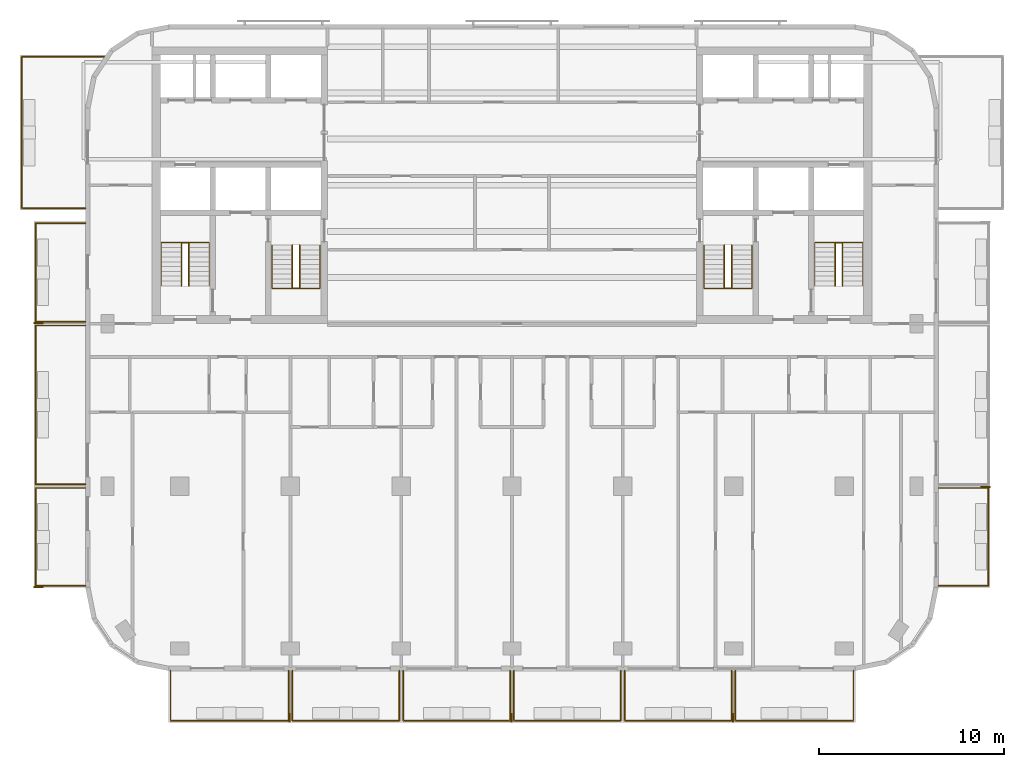
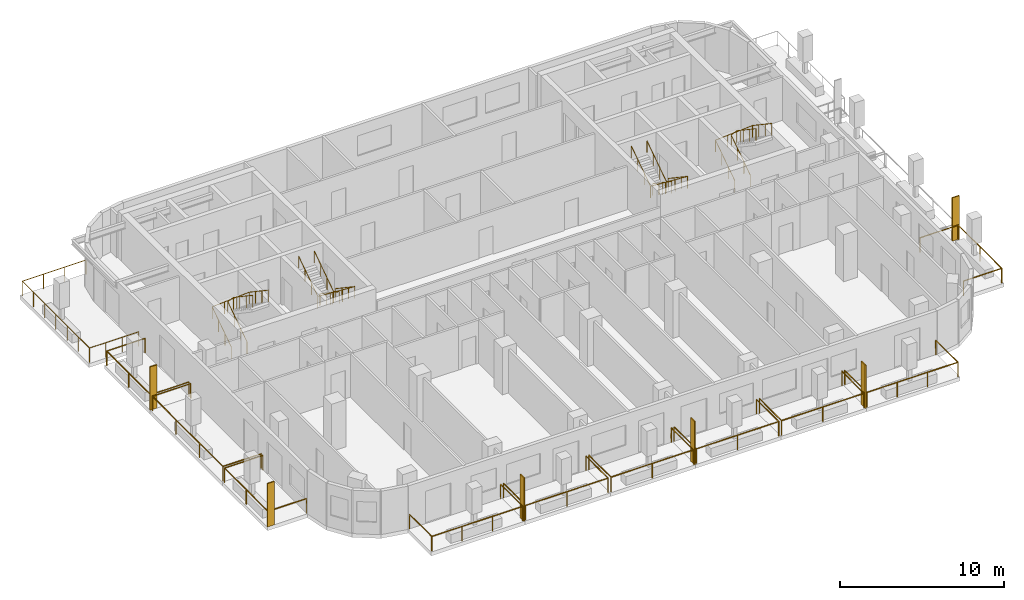
# One storey, part 9 of 11: 19 railings, 6 shading devices.
"""IFC4 building model written with IfcOpenShell, lengths in metres."""

from ifc_helpers import new_model, si_unit, direction, frame, origin, origin_2d, place, context, subcontext, project, spatial, rectangle, circle, extrude, material, layer, layer_set, type_object, element, save


model = new_model("IFC4")

# Units and contexts
model_context = context("Model", 3, precision=1e-05, world=origin(), true_north=direction((0.0, 1.0)))
body_context = subcontext(model_context, "Body", "Model", "MODEL_VIEW")
ifc_project = project(units=[si_unit("LENGTHUNIT", "METRE"), si_unit("AREAUNIT", "SQUARE_METRE"), si_unit("VOLUMEUNIT", "CUBIC_METRE"), si_unit("PLANEANGLEUNIT", "RADIAN"), si_unit("MASSUNIT", "GRAM", prefix="KILO")], contexts=[model_context])

# Site, building, storey
site_placement = place(None, origin())
site = spatial("IfcSite", under=ifc_project, at=site_placement, CompositionType="ELEMENT")
building_placement = place(site_placement, origin())
building = spatial("IfcBuilding", under=site, at=building_placement, Name="Torana Hotel and Residences", CompositionType="ELEMENT")
storey_placement = place(building_placement, frame((0.0, 0.0, 256.10009765625)))
storey = spatial("IfcBuildingStorey", under=building, at=storey_placement, Name="L67", CompositionType="ELEMENT", Elevation=256.10009765625)

# Shading devices
ifc_material_1 = material(Name="Black powder coated aluminium", Category="aluminium")
ifc_layer = layer(ifc_material_1, 0.080078125)
ifc_layer_set = layer_set([ifc_layer], Name="FN1 VERTICAL FIN 500x80")
shading_device_type = type_object("IfcShadingDeviceType", Name="FN1 VERTICAL FIN 500x80", PredefinedType="USERDEFINED", material=ifc_layer_set)
for number, where, z_axis, x_axis, name in (
    (1, (-12.0400390625, -36.35009765625, 0.0), (0.0, 0.0, 1.0), (-1.0, 0.0, 0.0), "Fin 01"),
    (2, (-0.0400390625, -36.35009765625, 0.0), (0.0, 0.0, 1.0), (-1.0, 0.0, 0.0), "Fin 03"),
    (3, (11.9599609375, -36.35009765625, 0.0), (0.0, 0.0, 1.0), (-1.0, 0.0, 0.0), "Fin 05"),
    (4, (-25.64990234375, -29.260009765625, 0.0), (0.0, 0.0, 1.0), (0.0, 1.0, 0.0), "Fin 07"),
    (5, (-25.64990234375, -14.9599609375, 0.0), (0.0, 0.0, 1.0), (0.0, 1.0, 0.0), "Fin 09"),
    (6, (25.64990234375, -23.840087890625, 0.0), (0.0, 0.0, 1.0), (0.0, -1.0, 0.0), "Fin 11"),
):
    element("IfcShadingDevice", number, at=place(storey_placement, frame(where, z_axis=z_axis, x_axis=x_axis)), inside=storey, type_object=shading_device_type, Name=name, ObjectType="FIN", PredefinedType="USERDEFINED", context=body_context, shape_type="SweptSolid", body=[
        extrude(rectangle(XDim=0.080078125, YDim=0.5, at=origin_2d()), origin(), (0.0, 0.0, 1.0), 3.219970703125),
    ])

# Railings
ifc_material_2 = material(Name="Laminated glass balustrade with black handrail", Category="glass")
railing_type_1 = type_object("IfcRailingType", Name="GR1 BALCONY GUARD 1100 GLASS", PredefinedType="GUARDRAIL", material=ifc_material_2)
railing_1_placement = place(storey_placement, frame((-12.10009765625, -33.800048828125, 0.0)))
element("IfcRailing", 7, at=railing_1_placement, inside=storey, type_object=railing_type_1, Name="Balcony guard 01", PredefinedType="GUARDRAIL", context=body_context, shape_type="SweptSolid", body=[
    extrude(circle(Radius=0.02392578125, at=origin_2d()), frame((0.0, 0.0, 1.076171875), z_axis=(0.0, -1.0, 0.0), x_axis=(1.0, 0.0, 0.0)), (0.0, 0.0, 1.0), 2.699951171875),
    extrude(circle(Radius=0.02392578125, at=origin_2d()), frame((0.0, -2.699951171875, 1.076171875), z_axis=(-1.0, 0.0, 0.0), x_axis=(0.0, -1.0, 0.0)), (0.0, 0.0, 1.0), 6.39990234375),
    extrude(circle(Radius=0.02392578125, at=origin_2d()), frame((-6.39990234375, -2.699951171875, 1.076171875), z_axis=(0.0, 1.0, 0.0), x_axis=(-1.0, 0.0, 0.0)), (0.0, 0.0, 1.0), 2.699951171875),
    extrude(circle(Radius=0.02099609375, at=origin_2d()), origin(), (0.0, 0.0, 1.0), 1.052001953125),
    extrude(circle(Radius=0.02099609375, at=origin_2d()), frame((0.0, -2.699951171875, 0.0)), (0.0, 0.0, 1.0), 1.052001953125),
    extrude(circle(Radius=0.02099609375, at=origin_2d()), frame((-2.13330078125, -2.699951171875, 0.0)), (0.0, 0.0, 1.0), 1.052001953125),
    extrude(circle(Radius=0.02099609375, at=origin_2d()), frame((-4.2666015625, -2.699951171875, 0.0)), (0.0, 0.0, 1.0), 1.052001953125),
    extrude(circle(Radius=0.02099609375, at=origin_2d()), frame((-6.39990234375, -2.699951171875, 0.0)), (0.0, 0.0, 1.0), 1.052001953125),
    extrude(circle(Radius=0.02099609375, at=origin_2d()), frame((-6.39990234375, 0.0, 0.0)), (0.0, 0.0, 1.0), 1.052001953125),
])
for number, where, name in (
    (8, (-6.10009765625, -33.800048828125, 0.0), "Balcony guard 02"),
    (9, (-0.10009765625, -33.800048828125, 0.0), "Balcony guard 03"),
    (10, (5.89990234375, -33.800048828125, 0.0), "Balcony guard 04"),
    (11, (11.89990234375, -33.800048828125, 0.0), "Balcony guard 05"),
):
    element("IfcRailing", number, at=place(storey_placement, frame(where)), inside=storey, type_object=railing_type_1, Name=name, PredefinedType="GUARDRAIL", context=body_context, shape_type="SweptSolid", body=[
        extrude(circle(Radius=0.02392578125, at=origin_2d()), frame((0.0, 0.0, 1.076171875), z_axis=(0.0, -1.0, 0.0), x_axis=(1.0, 0.0, 0.0)), (0.0, 0.0, 1.0), 2.699951171875),
        extrude(circle(Radius=0.02392578125, at=origin_2d()), frame((0.0, -2.699951171875, 1.076171875), z_axis=(-1.0, 0.0, 0.0), x_axis=(0.0, -1.0, 0.0)), (0.0, 0.0, 1.0), 5.7998046875),
        extrude(circle(Radius=0.02392578125, at=origin_2d()), frame((-5.7998046875, -2.699951171875, 1.076171875), z_axis=(0.0, 1.0, 0.0), x_axis=(-1.0, 0.0, 0.0)), (0.0, 0.0, 1.0), 2.699951171875),
        extrude(circle(Radius=0.02099609375, at=origin_2d()), origin(), (0.0, 0.0, 1.0), 1.052001953125),
        extrude(circle(Radius=0.02099609375, at=origin_2d()), frame((0.0, -2.699951171875, 0.0)), (0.0, 0.0, 1.0), 1.052001953125),
        extrude(circle(Radius=0.02099609375, at=origin_2d()), frame((-2.89990234375, -2.699951171875, 0.0)), (0.0, 0.0, 1.0), 1.052001953125),
        extrude(circle(Radius=0.02099609375, at=origin_2d()), frame((-5.7998046875, -2.699951171875, 0.0)), (0.0, 0.0, 1.0), 1.052001953125),
        extrude(circle(Radius=0.02099609375, at=origin_2d()), frame((-5.7998046875, 0.0, 0.0)), (0.0, 0.0, 1.0), 1.052001953125),
    ])
railing_2_placement = place(storey_placement, frame((18.5, -33.800048828125, 0.0)))
element("IfcRailing", 12, at=railing_2_placement, inside=storey, type_object=railing_type_1, Name="Balcony guard 06", PredefinedType="GUARDRAIL", context=body_context, shape_type="SweptSolid", body=[
    extrude(circle(Radius=0.02392578125, at=origin_2d()), frame((0.0, 0.0, 1.076171875), z_axis=(0.0, -1.0, 0.0), x_axis=(1.0, 0.0, 0.0)), (0.0, 0.0, 1.0), 2.699951171875),
    extrude(circle(Radius=0.02392578125, at=origin_2d()), frame((0.0, -2.699951171875, 1.076171875), z_axis=(-1.0, 0.0, 0.0), x_axis=(0.0, -1.0, 0.0)), (0.0, 0.0, 1.0), 6.39990234375),
    extrude(circle(Radius=0.02392578125, at=origin_2d()), frame((-6.39990234375, -2.699951171875, 1.076171875), z_axis=(0.0, 1.0, 0.0), x_axis=(-1.0, 0.0, 0.0)), (0.0, 0.0, 1.0), 2.699951171875),
    extrude(circle(Radius=0.02099609375, at=origin_2d()), origin(), (0.0, 0.0, 1.0), 1.052001953125),
    extrude(circle(Radius=0.02099609375, at=origin_2d()), frame((0.0, -2.699951171875, 0.0)), (0.0, 0.0, 1.0), 1.052001953125),
    extrude(circle(Radius=0.02099609375, at=origin_2d()), frame((-2.13330078125, -2.699951171875, 0.0)), (0.0, 0.0, 1.0), 1.052001953125),
    extrude(circle(Radius=0.02099609375, at=origin_2d()), frame((-4.2666015625, -2.699951171875, 0.0)), (0.0, 0.0, 1.0), 1.052001953125),
    extrude(circle(Radius=0.02099609375, at=origin_2d()), frame((-6.39990234375, -2.699951171875, 0.0)), (0.0, 0.0, 1.0), 1.052001953125),
    extrude(circle(Radius=0.02099609375, at=origin_2d()), frame((-6.39990234375, 0.0, 0.0)), (0.0, 0.0, 1.0), 1.052001953125),
])
railing_3_placement = place(storey_placement, frame((-23.10009765625, -29.199951171875, 0.0)))
element("IfcRailing", 13, at=railing_3_placement, inside=storey, type_object=railing_type_1, Name="Balcony guard 07", PredefinedType="GUARDRAIL", context=body_context, shape_type="SweptSolid", body=[
    extrude(circle(Radius=0.02392578125, at=origin_2d()), frame((0.0, 0.0, 1.076171875), z_axis=(-1.0, 0.0, 0.0), x_axis=(0.0, -1.0, 0.0)), (0.0, 0.0, 1.0), 2.699951171875),
    extrude(circle(Radius=0.02392578125, at=origin_2d()), frame((-2.699951171875, 0.0, 1.076171875), z_axis=(0.0, 1.0, 0.0), x_axis=(-1.0, 0.0, 0.0)), (0.0, 0.0, 1.0), 5.300048828125),
    extrude(circle(Radius=0.02392578125, at=origin_2d()), frame((-2.699951171875, 5.300048828125, 1.076171875), z_axis=(1.0, 0.0, 0.0), x_axis=(0.0, 1.0, 0.0)), (0.0, 0.0, 1.0), 2.699951171875),
    extrude(circle(Radius=0.02099609375, at=origin_2d()), origin(), (0.0, 0.0, 1.0), 1.052001953125),
    extrude(circle(Radius=0.02099609375, at=origin_2d()), frame((-2.699951171875, 0.0, 0.0)), (0.0, 0.0, 1.0), 1.052001953125),
    extrude(circle(Radius=0.02099609375, at=origin_2d()), frame((-2.699951171875, 2.64990234375, 0.0)), (0.0, 0.0, 1.0), 1.052001953125),
    extrude(circle(Radius=0.02099609375, at=origin_2d()), frame((-2.699951171875, 5.300048828125, 0.0)), (0.0, 0.0, 1.0), 1.052001953125),
    extrude(circle(Radius=0.02099609375, at=origin_2d()), frame((0.0, 5.300048828125, 0.0)), (0.0, 0.0, 1.0), 1.052001953125),
])
railing_4_placement = place(storey_placement, frame((-23.10009765625, -23.699951171875, 0.0)))
element("IfcRailing", 14, at=railing_4_placement, inside=storey, type_object=railing_type_1, Name="Balcony guard 08", PredefinedType="GUARDRAIL", context=body_context, shape_type="SweptSolid", body=[
    extrude(circle(Radius=0.02392578125, at=origin_2d()), frame((0.0, 0.0, 1.076171875), z_axis=(-1.0, 0.0, 0.0), x_axis=(0.0, -1.0, 0.0)), (0.0, 0.0, 1.0), 2.699951171875),
    extrude(circle(Radius=0.02392578125, at=origin_2d()), frame((-2.699951171875, 0.0, 1.076171875), z_axis=(0.0, 1.0, 0.0), x_axis=(-1.0, 0.0, 0.0)), (0.0, 0.0, 1.0), 8.599853515625),
    extrude(circle(Radius=0.02392578125, at=origin_2d()), frame((-2.699951171875, 8.599853515625, 1.076171875), z_axis=(1.0, 0.0, 0.0), x_axis=(0.0, 1.0, 0.0)), (0.0, 0.0, 1.0), 2.699951171875),
    extrude(circle(Radius=0.02099609375, at=origin_2d()), origin(), (0.0, 0.0, 1.0), 1.052001953125),
    extrude(circle(Radius=0.02099609375, at=origin_2d()), frame((-2.699951171875, 0.0, 0.0)), (0.0, 0.0, 1.0), 1.052001953125),
    extrude(circle(Radius=0.02099609375, at=origin_2d()), frame((-2.699951171875, 2.86669921875, 0.0)), (0.0, 0.0, 1.0), 1.052001953125),
    extrude(circle(Radius=0.02099609375, at=origin_2d()), frame((-2.699951171875, 5.733154296875, 0.0)), (0.0, 0.0, 1.0), 1.052001953125),
    extrude(circle(Radius=0.02099609375, at=origin_2d()), frame((-2.699951171875, 8.599853515625, 0.0)), (0.0, 0.0, 1.0), 1.052001953125),
    extrude(circle(Radius=0.02099609375, at=origin_2d()), frame((0.0, 8.599853515625, 0.0)), (0.0, 0.0, 1.0), 1.052001953125),
])
railing_5_placement = place(storey_placement, frame((-23.10009765625, -14.89990234375, 0.0)))
element("IfcRailing", 15, at=railing_5_placement, inside=storey, type_object=railing_type_1, Name="Balcony guard 09", PredefinedType="GUARDRAIL", context=body_context, shape_type="SweptSolid", body=[
    extrude(circle(Radius=0.02392578125, at=origin_2d()), frame((0.0, 0.0, 1.076171875), z_axis=(-1.0, 0.0, 0.0), x_axis=(0.0, -1.0, 0.0)), (0.0, 0.0, 1.0), 2.699951171875),
    extrude(circle(Radius=0.02392578125, at=origin_2d()), frame((-2.699951171875, 0.0, 1.076171875), z_axis=(0.0, 1.0, 0.0), x_axis=(-1.0, 0.0, 0.0)), (0.0, 0.0, 1.0), 5.349853515625),
    extrude(circle(Radius=0.02392578125, at=origin_2d()), frame((-2.699951171875, 5.349853515625, 1.076171875), z_axis=(1.0, 0.0, 0.0), x_axis=(0.0, 1.0, 0.0)), (0.0, 0.0, 1.0), 2.699951171875),
    extrude(circle(Radius=0.02099609375, at=origin_2d()), origin(), (0.0, 0.0, 1.0), 1.052001953125),
    extrude(circle(Radius=0.02099609375, at=origin_2d()), frame((-2.699951171875, 0.0, 0.0)), (0.0, 0.0, 1.0), 1.052001953125),
    extrude(circle(Radius=0.02099609375, at=origin_2d()), frame((-2.699951171875, 2.6748046875, 0.0)), (0.0, 0.0, 1.0), 1.052001953125),
    extrude(circle(Radius=0.02099609375, at=origin_2d()), frame((-2.699951171875, 5.349853515625, 0.0)), (0.0, 0.0, 1.0), 1.052001953125),
    extrude(circle(Radius=0.02099609375, at=origin_2d()), frame((0.0, 5.349853515625, 0.0)), (0.0, 0.0, 1.0), 1.052001953125),
])
railing_6_placement = place(storey_placement, frame((-23.10009765625, -8.75, 0.0)))
element("IfcRailing", 16, at=railing_6_placement, inside=storey, type_object=railing_type_1, Name="Balcony guard 10", PredefinedType="GUARDRAIL", context=body_context, shape_type="SweptSolid", body=[
    extrude(circle(Radius=0.02392578125, at=origin_2d()), frame((0.0, 0.0, 1.076171875), z_axis=(-1.0, 0.0, 0.0), x_axis=(0.0, -1.0, 0.0)), (0.0, 0.0, 1.0), 3.449951171875),
    extrude(circle(Radius=0.02392578125, at=origin_2d()), frame((-3.449951171875, 0.0, 1.076171875), z_axis=(0.0, 1.0, 0.0), x_axis=(-1.0, 0.0, 0.0)), (0.0, 0.0, 1.0), 8.199951171875),
    extrude(circle(Radius=0.02392578125, at=origin_2d()), frame((-3.449951171875, 8.199951171875, 1.076171875), z_axis=(1.0, 0.0, 0.0), x_axis=(0.0, 1.0, 0.0)), (0.0, 0.0, 1.0), 4.479248046875),
    extrude(circle(Radius=0.02099609375, at=origin_2d()), origin(), (0.0, 0.0, 1.0), 1.052001953125),
    extrude(circle(Radius=0.02099609375, at=origin_2d()), frame((-1.14990234375, 0.0, 0.0)), (0.0, 0.0, 1.0), 1.052001953125),
    extrude(circle(Radius=0.02099609375, at=origin_2d()), frame((-2.300048828125, 0.0, 0.0)), (0.0, 0.0, 1.0), 1.052001953125),
    extrude(circle(Radius=0.02099609375, at=origin_2d()), frame((-3.449951171875, 0.0, 0.0)), (0.0, 0.0, 1.0), 1.052001953125),
    extrude(circle(Radius=0.02099609375, at=origin_2d()), frame((-3.449951171875, 1.36669921875, 0.0)), (0.0, 0.0, 1.0), 1.052001953125),
    extrude(circle(Radius=0.02099609375, at=origin_2d()), frame((-3.449951171875, 2.7333984375, 0.0)), (0.0, 0.0, 1.0), 1.052001953125),
    extrude(circle(Radius=0.02099609375, at=origin_2d()), frame((-3.449951171875, 4.10009765625, 0.0)), (0.0, 0.0, 1.0), 1.052001953125),
    extrude(circle(Radius=0.02099609375, at=origin_2d()), frame((-3.449951171875, 5.466552734375, 0.0)), (0.0, 0.0, 1.0), 1.052001953125),
    extrude(circle(Radius=0.02099609375, at=origin_2d()), frame((-3.449951171875, 6.833251953125, 0.0)), (0.0, 0.0, 1.0), 1.052001953125),
    extrude(circle(Radius=0.02099609375, at=origin_2d()), frame((-3.449951171875, 8.199951171875, 0.0)), (0.0, 0.0, 1.0), 1.052001953125),
    extrude(circle(Radius=0.02099609375, at=origin_2d()), frame((-1.956787109375, 8.199951171875, 0.0)), (0.0, 0.0, 1.0), 1.052001953125),
    extrude(circle(Radius=0.02099609375, at=origin_2d()), frame((-0.4638671875, 8.199951171875, 0.0)), (0.0, 0.0, 1.0), 1.052001953125),
    extrude(circle(Radius=0.02099609375, at=origin_2d()), frame((1.029296875, 8.199951171875, 0.0)), (0.0, 0.0, 1.0), 1.052001953125),
])
railing_7_placement = place(storey_placement, frame((23.10009765625, -23.89990234375, 0.0)))
element("IfcRailing", 17, at=railing_7_placement, inside=storey, type_object=railing_type_1, Name="Balcony guard 11", PredefinedType="GUARDRAIL", context=body_context, shape_type="SweptSolid", body=[
    extrude(circle(Radius=0.02392578125, at=origin_2d()), frame((0.0, 0.0, 1.076171875), z_axis=(1.0, 0.0, 0.0), x_axis=(0.0, 1.0, 0.0)), (0.0, 0.0, 1.0), 2.699951171875),
    extrude(circle(Radius=0.02392578125, at=origin_2d()), frame((2.699951171875, 0.0, 1.076171875), z_axis=(0.0, -1.0, 0.0), x_axis=(1.0, 0.0, 0.0)), (0.0, 0.0, 1.0), 5.300048828125),
    extrude(circle(Radius=0.02392578125, at=origin_2d()), frame((2.699951171875, -5.300048828125, 1.076171875), z_axis=(-1.0, 0.0, 0.0), x_axis=(0.0, -1.0, 0.0)), (0.0, 0.0, 1.0), 2.699951171875),
    extrude(circle(Radius=0.02099609375, at=origin_2d()), origin(), (0.0, 0.0, 1.0), 1.052001953125),
    extrude(circle(Radius=0.02099609375, at=origin_2d()), frame((2.699951171875, 0.0, 0.0)), (0.0, 0.0, 1.0), 1.052001953125),
    extrude(circle(Radius=0.02099609375, at=origin_2d()), frame((2.699951171875, -2.64990234375, 0.0)), (0.0, 0.0, 1.0), 1.052001953125),
    extrude(circle(Radius=0.02099609375, at=origin_2d()), frame((2.699951171875, -5.300048828125, 0.0)), (0.0, 0.0, 1.0), 1.052001953125),
    extrude(circle(Radius=0.02099609375, at=origin_2d()), frame((0.0, -5.300048828125, 0.0)), (0.0, 0.0, 1.0), 1.052001953125),
])
ifc_material_3 = material(Name="Stainless steel 316", Category="steel")
railing_type_2 = type_object("IfcRailingType", Name="STAIR HANDRAIL HR1 900", PredefinedType="HANDRAIL", material=ifc_material_3)
railing_8_placement = place(storey_placement, frame((-10.39990234375, -10.75, 0.1748046875)))
element("IfcRailing", 18, at=railing_8_placement, inside=storey, type_object=railing_type_2, Name="Handrail ST1 L67 O1", PredefinedType="HANDRAIL", context=body_context, shape_type="SweptSolid", body=[
    extrude(circle(Radius=0.02392578125, at=origin_2d()), frame((0.0, 0.0, 0.8759765625), z_axis=(0.0, -0.829565388462, 0.558409586474), x_axis=(1.0, 0.0, 0.0)), (0.0, 0.0, 1.0), 2.82080078125),
    extrude(circle(Radius=0.02392578125, at=origin_2d()), frame((0.0, -2.340087890625, 2.451171875), z_axis=(-0.997747692642, 0.0, 0.067078624219), x_axis=(0.0, -1.0, 0.0)), (0.0, 0.0, 1.0), 2.60595703125),
    extrude(circle(Radius=0.02392578125, at=origin_2d()), frame((-2.60009765625, -2.340087890625, 2.6259765625), z_axis=(0.0, 0.829565388462, 0.558409586474), x_axis=(-1.0, 0.0, 0.0)), (0.0, 0.0, 1.0), 2.82080078125),
    extrude(circle(Radius=0.02099609375, at=origin_2d()), origin(), (0.0, 0.0, 1.0), 0.851806640625),
    extrude(circle(Radius=0.02099609375, at=origin_2d()), frame((0.0, -0.780029296875, 0.525146484375)), (0.0, 0.0, 1.0), 0.851806640625),
    extrude(circle(Radius=0.02099609375, at=origin_2d()), frame((0.0, -1.56005859375, 1.050048828125)), (0.0, 0.0, 1.0), 0.851806640625),
    extrude(circle(Radius=0.02099609375, at=origin_2d()), frame((0.0, -2.340087890625, 1.5751953125)), (0.0, 0.0, 1.0), 0.851806640625),
    extrude(circle(Radius=0.02099609375, at=origin_2d()), frame((-0.86669921875, -2.340087890625, 1.633544921875)), (0.0, 0.0, 1.0), 0.851806640625),
    extrude(circle(Radius=0.02099609375, at=origin_2d()), frame((-1.7333984375, -2.340087890625, 1.691650390625)), (0.0, 0.0, 1.0), 0.851806640625),
    extrude(circle(Radius=0.02099609375, at=origin_2d()), frame((-2.60009765625, -2.340087890625, 1.75)), (0.0, 0.0, 1.0), 0.851806640625),
    extrude(circle(Radius=0.02099609375, at=origin_2d()), frame((-2.60009765625, -1.56005859375, 2.275146484375)), (0.0, 0.0, 1.0), 0.851806640625),
    extrude(circle(Radius=0.02099609375, at=origin_2d()), frame((-2.60009765625, -0.780029296875, 2.800048828125)), (0.0, 0.0, 1.0), 0.851806640625),
    extrude(circle(Radius=0.02099609375, at=origin_2d()), frame((-2.60009765625, 0.0, 3.3251953125)), (0.0, 0.0, 1.0), 0.851806640625),
])
railing_9_placement = place(storey_placement, frame((-11.5, -10.75, 0.1748046875)))
element("IfcRailing", 19, at=railing_9_placement, inside=storey, type_object=railing_type_2, Name="Handrail ST1 L67 I1", PredefinedType="HANDRAIL", context=body_context, shape_type="SweptSolid", body=[
    extrude(circle(Radius=0.02392578125, at=origin_2d()), frame((0.0, 0.0, 0.8759765625), z_axis=(0.0, -0.829565388462, 0.558409586474), x_axis=(1.0, 0.0, 0.0)), (0.0, 0.0, 1.0), 2.82080078125),
    extrude(circle(Radius=0.02392578125, at=origin_2d()), frame((0.0, -2.340087890625, 2.451171875), z_axis=(-0.916285673175, 0.0, 0.400525361412), x_axis=(0.0, -1.0, 0.0)), (0.0, 0.0, 1.0), 0.4365234375),
    extrude(circle(Radius=0.02392578125, at=origin_2d()), frame((-0.39990234375, -2.340087890625, 2.6259765625), z_axis=(0.0, 0.829565388462, 0.558409586474), x_axis=(-1.0, 0.0, 0.0)), (0.0, 0.0, 1.0), 2.82080078125),
    extrude(circle(Radius=0.02099609375, at=origin_2d()), origin(), (0.0, 0.0, 1.0), 0.851806640625),
    extrude(circle(Radius=0.02099609375, at=origin_2d()), frame((0.0, -0.780029296875, 0.525146484375)), (0.0, 0.0, 1.0), 0.851806640625),
    extrude(circle(Radius=0.02099609375, at=origin_2d()), frame((0.0, -1.56005859375, 1.050048828125)), (0.0, 0.0, 1.0), 0.851806640625),
    extrude(circle(Radius=0.02099609375, at=origin_2d()), frame((0.0, -2.340087890625, 1.5751953125)), (0.0, 0.0, 1.0), 0.851806640625),
    extrude(circle(Radius=0.02099609375, at=origin_2d()), frame((-0.39990234375, -2.340087890625, 1.75)), (0.0, 0.0, 1.0), 0.851806640625),
    extrude(circle(Radius=0.02099609375, at=origin_2d()), frame((-0.39990234375, -1.56005859375, 2.275146484375)), (0.0, 0.0, 1.0), 0.851806640625),
    extrude(circle(Radius=0.02099609375, at=origin_2d()), frame((-0.39990234375, -0.780029296875, 2.800048828125)), (0.0, 0.0, 1.0), 0.851806640625),
    extrude(circle(Radius=0.02099609375, at=origin_2d()), frame((-0.39990234375, 0.0, 3.3251953125)), (0.0, 0.0, 1.0), 0.851806640625),
])
railing_10_placement = place(storey_placement, frame((-19.0, -12.949951171875, 0.1748046875)))
element("IfcRailing", 20, at=railing_10_placement, inside=storey, type_object=railing_type_2, Name="Handrail ST2 L67 O1", PredefinedType="HANDRAIL", context=body_context, shape_type="SweptSolid", body=[
    extrude(circle(Radius=0.02392578125, at=origin_2d()), frame((0.0, 0.0, 0.8759765625), z_axis=(0.0, 0.829538397957, 0.558449681095), x_axis=(-1.0, 0.0, 0.0)), (0.0, 0.0, 1.0), 2.820556640625),
    extrude(circle(Radius=0.02392578125, at=origin_2d()), frame((0.0, 2.33984375, 2.451171875), z_axis=(0.997747692642, 0.0, 0.067078624219), x_axis=(0.0, 1.0, 0.0)), (0.0, 0.0, 1.0), 2.60595703125),
    extrude(circle(Radius=0.02392578125, at=origin_2d()), frame((2.60009765625, 2.33984375, 2.6259765625), z_axis=(0.0, -0.829538397957, 0.558449681095), x_axis=(1.0, 0.0, 0.0)), (0.0, 0.0, 1.0), 2.820556640625),
    extrude(circle(Radius=0.02099609375, at=origin_2d()), origin(), (0.0, 0.0, 1.0), 0.851806640625),
    extrude(circle(Radius=0.02099609375, at=origin_2d()), frame((0.0, 0.780029296875, 0.525146484375)), (0.0, 0.0, 1.0), 0.851806640625),
    extrude(circle(Radius=0.02099609375, at=origin_2d()), frame((0.0, 1.559814453125, 1.050048828125)), (0.0, 0.0, 1.0), 0.851806640625),
    extrude(circle(Radius=0.02099609375, at=origin_2d()), frame((0.0, 2.33984375, 1.5751953125)), (0.0, 0.0, 1.0), 0.851806640625),
    extrude(circle(Radius=0.02099609375, at=origin_2d()), frame((0.86669921875, 2.33984375, 1.633544921875)), (0.0, 0.0, 1.0), 0.851806640625),
    extrude(circle(Radius=0.02099609375, at=origin_2d()), frame((1.7333984375, 2.33984375, 1.691650390625)), (0.0, 0.0, 1.0), 0.851806640625),
    extrude(circle(Radius=0.02099609375, at=origin_2d()), frame((2.60009765625, 2.33984375, 1.75)), (0.0, 0.0, 1.0), 0.851806640625),
    extrude(circle(Radius=0.02099609375, at=origin_2d()), frame((2.60009765625, 1.559814453125, 2.275146484375)), (0.0, 0.0, 1.0), 0.851806640625),
    extrude(circle(Radius=0.02099609375, at=origin_2d()), frame((2.60009765625, 0.780029296875, 2.800048828125)), (0.0, 0.0, 1.0), 0.851806640625),
    extrude(circle(Radius=0.02099609375, at=origin_2d()), frame((2.60009765625, 0.0, 3.3251953125)), (0.0, 0.0, 1.0), 0.851806640625),
])
railing_11_placement = place(storey_placement, frame((-17.89990234375, -12.949951171875, 0.1748046875)))
element("IfcRailing", 21, at=railing_11_placement, inside=storey, type_object=railing_type_2, Name="Handrail ST2 L67 I1", PredefinedType="HANDRAIL", context=body_context, shape_type="SweptSolid", body=[
    extrude(circle(Radius=0.02392578125, at=origin_2d()), frame((0.0, 0.0, 0.8759765625), z_axis=(0.0, 0.829538397957, 0.558449681095), x_axis=(-1.0, 0.0, 0.0)), (0.0, 0.0, 1.0), 2.820556640625),
    extrude(circle(Radius=0.02392578125, at=origin_2d()), frame((0.0, 2.33984375, 2.451171875), z_axis=(0.916285673175, 0.0, 0.400525361412), x_axis=(0.0, 1.0, 0.0)), (0.0, 0.0, 1.0), 0.4365234375),
    extrude(circle(Radius=0.02392578125, at=origin_2d()), frame((0.39990234375, 2.33984375, 2.6259765625), z_axis=(0.0, -0.829538397957, 0.558449681095), x_axis=(1.0, 0.0, 0.0)), (0.0, 0.0, 1.0), 2.820556640625),
    extrude(circle(Radius=0.02099609375, at=origin_2d()), origin(), (0.0, 0.0, 1.0), 0.851806640625),
    extrude(circle(Radius=0.02099609375, at=origin_2d()), frame((0.0, 0.780029296875, 0.525146484375)), (0.0, 0.0, 1.0), 0.851806640625),
    extrude(circle(Radius=0.02099609375, at=origin_2d()), frame((0.0, 1.559814453125, 1.050048828125)), (0.0, 0.0, 1.0), 0.851806640625),
    extrude(circle(Radius=0.02099609375, at=origin_2d()), frame((0.0, 2.33984375, 1.5751953125)), (0.0, 0.0, 1.0), 0.851806640625),
    extrude(circle(Radius=0.02099609375, at=origin_2d()), frame((0.39990234375, 2.33984375, 1.75)), (0.0, 0.0, 1.0), 0.851806640625),
    extrude(circle(Radius=0.02099609375, at=origin_2d()), frame((0.39990234375, 1.559814453125, 2.275146484375)), (0.0, 0.0, 1.0), 0.851806640625),
    extrude(circle(Radius=0.02099609375, at=origin_2d()), frame((0.39990234375, 0.780029296875, 2.800048828125)), (0.0, 0.0, 1.0), 0.851806640625),
    extrude(circle(Radius=0.02099609375, at=origin_2d()), frame((0.39990234375, 0.0, 3.3251953125)), (0.0, 0.0, 1.0), 0.851806640625),
])
railing_12_placement = place(storey_placement, frame((13.0, -10.75, 0.1748046875)))
element("IfcRailing", 22, at=railing_12_placement, inside=storey, type_object=railing_type_2, Name="Handrail ST3 L67 O1", PredefinedType="HANDRAIL", context=body_context, shape_type="SweptSolid", body=[
    extrude(circle(Radius=0.02392578125, at=origin_2d()), frame((0.0, 0.0, 0.8759765625), z_axis=(0.0, -0.829565388462, 0.558409586474), x_axis=(1.0, 0.0, 0.0)), (0.0, 0.0, 1.0), 2.82080078125),
    extrude(circle(Radius=0.02392578125, at=origin_2d()), frame((0.0, -2.340087890625, 2.451171875), z_axis=(-0.997747692642, 0.0, 0.067078624219), x_axis=(0.0, -1.0, 0.0)), (0.0, 0.0, 1.0), 2.60595703125),
    extrude(circle(Radius=0.02392578125, at=origin_2d()), frame((-2.60009765625, -2.340087890625, 2.6259765625), z_axis=(0.0, 0.829565388462, 0.558409586474), x_axis=(-1.0, 0.0, 0.0)), (0.0, 0.0, 1.0), 2.82080078125),
    extrude(circle(Radius=0.02099609375, at=origin_2d()), origin(), (0.0, 0.0, 1.0), 0.851806640625),
    extrude(circle(Radius=0.02099609375, at=origin_2d()), frame((0.0, -0.780029296875, 0.525146484375)), (0.0, 0.0, 1.0), 0.851806640625),
    extrude(circle(Radius=0.02099609375, at=origin_2d()), frame((0.0, -1.56005859375, 1.050048828125)), (0.0, 0.0, 1.0), 0.851806640625),
    extrude(circle(Radius=0.02099609375, at=origin_2d()), frame((0.0, -2.340087890625, 1.5751953125)), (0.0, 0.0, 1.0), 0.851806640625),
    extrude(circle(Radius=0.02099609375, at=origin_2d()), frame((-0.86669921875, -2.340087890625, 1.633544921875)), (0.0, 0.0, 1.0), 0.851806640625),
    extrude(circle(Radius=0.02099609375, at=origin_2d()), frame((-1.7333984375, -2.340087890625, 1.691650390625)), (0.0, 0.0, 1.0), 0.851806640625),
    extrude(circle(Radius=0.02099609375, at=origin_2d()), frame((-2.60009765625, -2.340087890625, 1.75)), (0.0, 0.0, 1.0), 0.851806640625),
    extrude(circle(Radius=0.02099609375, at=origin_2d()), frame((-2.60009765625, -1.56005859375, 2.275146484375)), (0.0, 0.0, 1.0), 0.851806640625),
    extrude(circle(Radius=0.02099609375, at=origin_2d()), frame((-2.60009765625, -0.780029296875, 2.800048828125)), (0.0, 0.0, 1.0), 0.851806640625),
    extrude(circle(Radius=0.02099609375, at=origin_2d()), frame((-2.60009765625, 0.0, 3.3251953125)), (0.0, 0.0, 1.0), 0.851806640625),
])
railing_13_placement = place(storey_placement, frame((11.89990234375, -10.75, 0.1748046875)))
element("IfcRailing", 23, at=railing_13_placement, inside=storey, type_object=railing_type_2, Name="Handrail ST3 L67 I1", PredefinedType="HANDRAIL", context=body_context, shape_type="SweptSolid", body=[
    extrude(circle(Radius=0.02392578125, at=origin_2d()), frame((0.0, 0.0, 0.8759765625), z_axis=(0.0, -0.829565388462, 0.558409586474), x_axis=(1.0, 0.0, 0.0)), (0.0, 0.0, 1.0), 2.82080078125),
    extrude(circle(Radius=0.02392578125, at=origin_2d()), frame((0.0, -2.340087890625, 2.451171875), z_axis=(-0.916285673175, 0.0, 0.400525361412), x_axis=(0.0, -1.0, 0.0)), (0.0, 0.0, 1.0), 0.4365234375),
    extrude(circle(Radius=0.02392578125, at=origin_2d()), frame((-0.39990234375, -2.340087890625, 2.6259765625), z_axis=(0.0, 0.829565388462, 0.558409586474), x_axis=(-1.0, 0.0, 0.0)), (0.0, 0.0, 1.0), 2.82080078125),
    extrude(circle(Radius=0.02099609375, at=origin_2d()), origin(), (0.0, 0.0, 1.0), 0.851806640625),
    extrude(circle(Radius=0.02099609375, at=origin_2d()), frame((0.0, -0.780029296875, 0.525146484375)), (0.0, 0.0, 1.0), 0.851806640625),
    extrude(circle(Radius=0.02099609375, at=origin_2d()), frame((0.0, -1.56005859375, 1.050048828125)), (0.0, 0.0, 1.0), 0.851806640625),
    extrude(circle(Radius=0.02099609375, at=origin_2d()), frame((0.0, -2.340087890625, 1.5751953125)), (0.0, 0.0, 1.0), 0.851806640625),
    extrude(circle(Radius=0.02099609375, at=origin_2d()), frame((-0.39990234375, -2.340087890625, 1.75)), (0.0, 0.0, 1.0), 0.851806640625),
    extrude(circle(Radius=0.02099609375, at=origin_2d()), frame((-0.39990234375, -1.56005859375, 2.275146484375)), (0.0, 0.0, 1.0), 0.851806640625),
    extrude(circle(Radius=0.02099609375, at=origin_2d()), frame((-0.39990234375, -0.780029296875, 2.800048828125)), (0.0, 0.0, 1.0), 0.851806640625),
    extrude(circle(Radius=0.02099609375, at=origin_2d()), frame((-0.39990234375, 0.0, 3.3251953125)), (0.0, 0.0, 1.0), 0.851806640625),
])
railing_14_placement = place(storey_placement, frame((16.39990234375, -12.949951171875, 0.1748046875)))
element("IfcRailing", 24, at=railing_14_placement, inside=storey, type_object=railing_type_2, Name="Handrail ST4 L67 O1", PredefinedType="HANDRAIL", context=body_context, shape_type="SweptSolid", body=[
    extrude(circle(Radius=0.02392578125, at=origin_2d()), frame((0.0, 0.0, 0.8759765625), z_axis=(0.0, 0.829538397957, 0.558449681095), x_axis=(-1.0, 0.0, 0.0)), (0.0, 0.0, 1.0), 2.820556640625),
    extrude(circle(Radius=0.02392578125, at=origin_2d()), frame((0.0, 2.33984375, 2.451171875), z_axis=(0.997747692642, 0.0, 0.067078624219), x_axis=(0.0, 1.0, 0.0)), (0.0, 0.0, 1.0), 2.60595703125),
    extrude(circle(Radius=0.02392578125, at=origin_2d()), frame((2.60009765625, 2.33984375, 2.6259765625), z_axis=(0.0, -0.829538397957, 0.558449681095), x_axis=(1.0, 0.0, 0.0)), (0.0, 0.0, 1.0), 2.820556640625),
    extrude(circle(Radius=0.02099609375, at=origin_2d()), origin(), (0.0, 0.0, 1.0), 0.851806640625),
    extrude(circle(Radius=0.02099609375, at=origin_2d()), frame((0.0, 0.780029296875, 0.525146484375)), (0.0, 0.0, 1.0), 0.851806640625),
    extrude(circle(Radius=0.02099609375, at=origin_2d()), frame((0.0, 1.559814453125, 1.050048828125)), (0.0, 0.0, 1.0), 0.851806640625),
    extrude(circle(Radius=0.02099609375, at=origin_2d()), frame((0.0, 2.33984375, 1.5751953125)), (0.0, 0.0, 1.0), 0.851806640625),
    extrude(circle(Radius=0.02099609375, at=origin_2d()), frame((0.86669921875, 2.33984375, 1.633544921875)), (0.0, 0.0, 1.0), 0.851806640625),
    extrude(circle(Radius=0.02099609375, at=origin_2d()), frame((1.7333984375, 2.33984375, 1.691650390625)), (0.0, 0.0, 1.0), 0.851806640625),
    extrude(circle(Radius=0.02099609375, at=origin_2d()), frame((2.60009765625, 2.33984375, 1.75)), (0.0, 0.0, 1.0), 0.851806640625),
    extrude(circle(Radius=0.02099609375, at=origin_2d()), frame((2.60009765625, 1.559814453125, 2.275146484375)), (0.0, 0.0, 1.0), 0.851806640625),
    extrude(circle(Radius=0.02099609375, at=origin_2d()), frame((2.60009765625, 0.780029296875, 2.800048828125)), (0.0, 0.0, 1.0), 0.851806640625),
    extrude(circle(Radius=0.02099609375, at=origin_2d()), frame((2.60009765625, 0.0, 3.3251953125)), (0.0, 0.0, 1.0), 0.851806640625),
])
railing_15_placement = place(storey_placement, frame((17.5, -12.949951171875, 0.1748046875)))
element("IfcRailing", 25, at=railing_15_placement, inside=storey, type_object=railing_type_2, Name="Handrail ST4 L67 I1", PredefinedType="HANDRAIL", context=body_context, shape_type="SweptSolid", body=[
    extrude(circle(Radius=0.02392578125, at=origin_2d()), frame((0.0, 0.0, 0.8759765625), z_axis=(0.0, 0.829538397957, 0.558449681095), x_axis=(-1.0, 0.0, 0.0)), (0.0, 0.0, 1.0), 2.820556640625),
    extrude(circle(Radius=0.02392578125, at=origin_2d()), frame((0.0, 2.33984375, 2.451171875), z_axis=(0.916285673175, 0.0, 0.400525361412), x_axis=(0.0, 1.0, 0.0)), (0.0, 0.0, 1.0), 0.4365234375),
    extrude(circle(Radius=0.02392578125, at=origin_2d()), frame((0.39990234375, 2.33984375, 2.6259765625), z_axis=(0.0, -0.829538397957, 0.558449681095), x_axis=(1.0, 0.0, 0.0)), (0.0, 0.0, 1.0), 2.820556640625),
    extrude(circle(Radius=0.02099609375, at=origin_2d()), origin(), (0.0, 0.0, 1.0), 0.851806640625),
    extrude(circle(Radius=0.02099609375, at=origin_2d()), frame((0.0, 0.780029296875, 0.525146484375)), (0.0, 0.0, 1.0), 0.851806640625),
    extrude(circle(Radius=0.02099609375, at=origin_2d()), frame((0.0, 1.559814453125, 1.050048828125)), (0.0, 0.0, 1.0), 0.851806640625),
    extrude(circle(Radius=0.02099609375, at=origin_2d()), frame((0.0, 2.33984375, 1.5751953125)), (0.0, 0.0, 1.0), 0.851806640625),
    extrude(circle(Radius=0.02099609375, at=origin_2d()), frame((0.39990234375, 2.33984375, 1.75)), (0.0, 0.0, 1.0), 0.851806640625),
    extrude(circle(Radius=0.02099609375, at=origin_2d()), frame((0.39990234375, 1.559814453125, 2.275146484375)), (0.0, 0.0, 1.0), 0.851806640625),
    extrude(circle(Radius=0.02099609375, at=origin_2d()), frame((0.39990234375, 0.780029296875, 2.800048828125)), (0.0, 0.0, 1.0), 0.851806640625),
    extrude(circle(Radius=0.02099609375, at=origin_2d()), frame((0.39990234375, 0.0, 3.3251953125)), (0.0, 0.0, 1.0), 0.851806640625),
])

save(model, "model.ifc")
